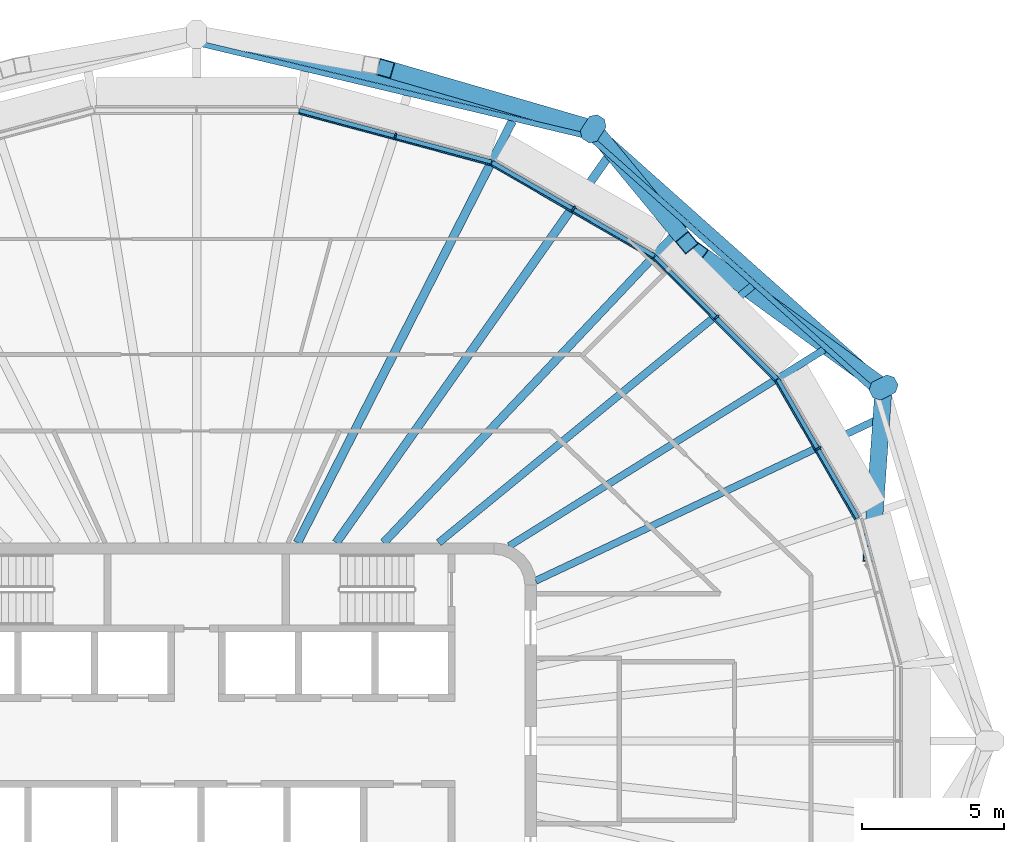
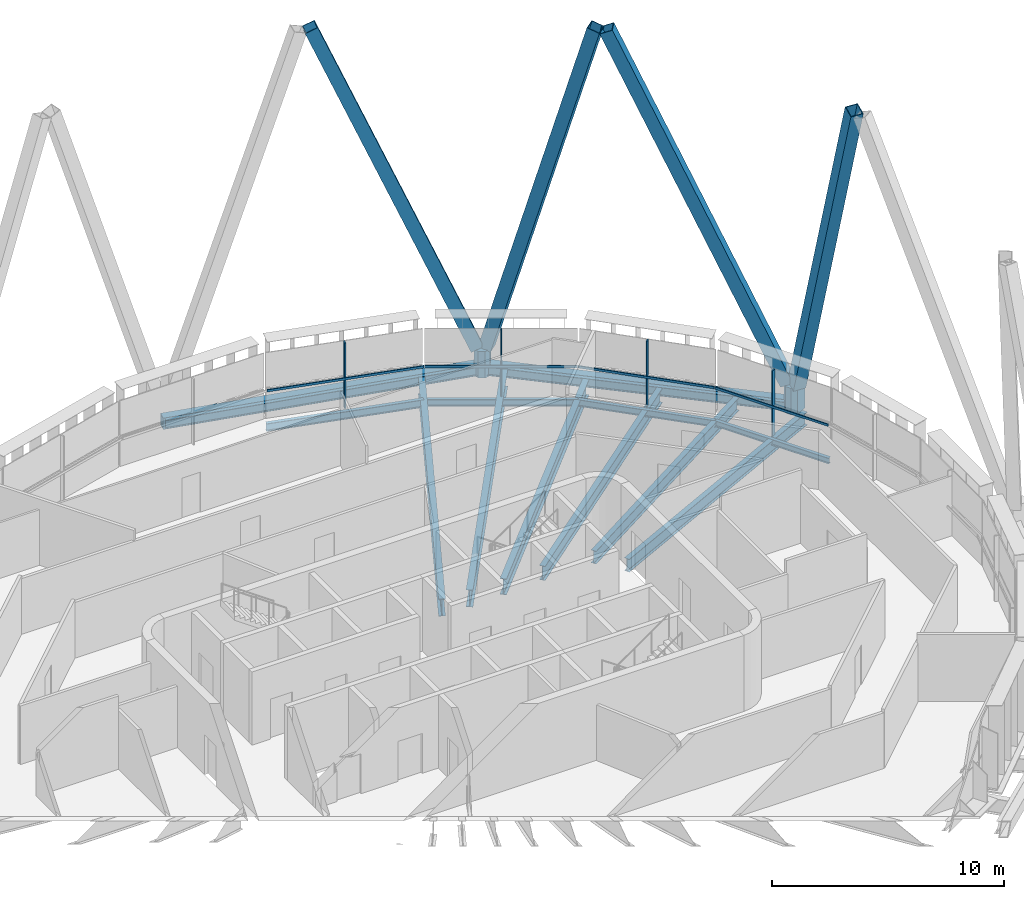
# One storey, part 6 of 18: 14 beams, 14 members, 4 elements without a shape of their own.
"""IFC4 building model written with IfcOpenShell, lengths in metres."""

from ifc_helpers import new_model, si_unit, direction, frame, origin, origin_2d, place, context, subcontext, project, spatial, polyline, rectangle, hollow_rectangle, i_section, outline, extrude, material, layer, layer_set, material_profile, profile_set, type_object, element, aggregate, save


model = new_model("IFC4")

# Units and contexts
model_context = context("Model", 3, precision=1e-05, world=origin(), true_north=direction((0.0, 1.0)))
body_context = subcontext(model_context, "Body", "Model", "MODEL_VIEW")
ifc_project = project(units=[si_unit("LENGTHUNIT", "METRE"), si_unit("AREAUNIT", "SQUARE_METRE"), si_unit("VOLUMEUNIT", "CUBIC_METRE"), si_unit("PLANEANGLEUNIT", "RADIAN"), si_unit("MASSUNIT", "GRAM", prefix="KILO")], contexts=[model_context])

# Site, building, storey
site_placement = place(None, origin())
site = spatial("IfcSite", under=ifc_project, at=site_placement, CompositionType="ELEMENT")
building_placement = place(site_placement, origin())
building = spatial("IfcBuilding", under=site, at=building_placement, Name="Sahrelin Media Tower", CompositionType="ELEMENT")
storey_placement = place(building_placement, frame((0.0, 0.0, 316.39990234375)))
storey = spatial("IfcBuildingStorey", under=building, at=storey_placement, Name="L70", CompositionType="ELEMENT", Elevation=316.39990234375)

# Members
ifc_material_1 = material(Name="Steel S460", Category="steel")
ifc_material_profile_1 = material_profile(ifc_material_1, hollow_rectangle(XDim=0.60009765625, YDim=0.60009765625, WallThickness=0.030029296875, at=origin_2d()), Name="Diagrid diagonal DG9")
ifc_profile_set_1 = profile_set([ifc_material_profile_1], Name="Steel S460")
member_type_1 = type_object("IfcMemberType", Name="Diagrid diagonal DG9", PredefinedType="BRACE", material=ifc_profile_set_1)
member_1_placement = place(storey_placement, frame((24.24755859375, 12.260986328125, 0.7001953125), z_axis=(-0.021293837719, -0.29969200765, 0.953798339811), x_axis=(0.997485295429, -0.07087372858, 0.0)))
element("IfcMember", 1, at=member_1_placement, inside=storey, type_object=member_type_1, Name="Diagrid diagonal D16-01", PredefinedType="BRACE", context=body_context, shape_type="SweptSolid", body=[
    extrude(hollow_rectangle(XDim=0.60009765625, YDim=0.60009765625, WallThickness=0.030029296875, at=origin_2d()), origin(), (0.0, 0.0, 1.0), 18.871826171875),
])
member_2_placement = place(storey_placement, frame((24.01708984375, 12.66015625, 0.7001953125), z_axis=(-0.322314038724, 0.234657855068, 0.917087428491), x_axis=(-0.588577891078, -0.808440514901, 0.0)))
element("IfcMember", 2, at=member_2_placement, inside=storey, type_object=member_type_1, Name="Diagrid diagonal D16-02", PredefinedType="BRACE", context=body_context, shape_type="SweptSolid", body=[
    extrude(hollow_rectangle(XDim=0.60009765625, YDim=0.60009765625, WallThickness=0.030029296875, at=origin_2d()), origin(), (0.0, 0.0, 1.0), 19.62744140625),
])
member_3_placement = place(storey_placement, frame((14.13232421875, 21.46728515625, 0.7001953125), z_axis=(0.170636757802, -0.207207376875, 0.963300679879), x_axis=(0.771938665879, 0.635697015977, 0.0)))
element("IfcMember", 3, at=member_3_placement, inside=storey, type_object=member_type_1, Name="Diagrid diagonal D16-03", PredefinedType="BRACE", context=body_context, shape_type="SweptSolid", body=[
    extrude(hollow_rectangle(XDim=0.60009765625, YDim=0.60009765625, WallThickness=0.030029296875, at=origin_2d()), origin(), (0.0, 0.0, 1.0), 18.685791015625),
])
member_4_placement = place(storey_placement, frame((13.7333984375, 21.697509765625, 0.7001953125), z_axis=(-0.363679356396, 0.10556003272, 0.925523854487), x_axis=(-0.278751022186, -0.960363403942, 0.0)))
element("IfcMember", 4, at=member_4_placement, inside=storey, type_object=member_type_1, Name="Diagrid diagonal D16-04", PredefinedType="BRACE", context=body_context, shape_type="SweptSolid", body=[
    extrude(hollow_rectangle(XDim=0.60009765625, YDim=0.60009765625, WallThickness=0.030029296875, at=origin_2d()), origin(), (0.0, 0.0, 1.0), 19.448486328125),
])
ifc_material_profile_2 = material_profile(ifc_material_1, outline(polyline([(0.300048828125, -0.35009765625), (0.5, -0.14990234375), (0.5, 0.14990234375), (0.300048828125, 0.35009765625), (-0.300048828125, 0.35009765625), (-0.5, 0.14990234375), (-0.5, -0.14990234375), (-0.300048828125, -0.35009765625), (0.300048828125, -0.35009765625)])), Name="Diagrid node block 1000")
ifc_profile_set_2 = profile_set([ifc_material_profile_2], Name="Steel S460")
member_type_2 = type_object("IfcMemberType", Name="Diagrid node block 1000", PredefinedType="USERDEFINED", material=ifc_profile_set_2)
for number, where, z_axis, x_axis, name in (
    (5, (24.26318359375, 12.481201171875, -0.699951171875), (0.0, 0.0, 1.0), (0.889244786604, 0.457431644618, 0.0), "Diagrid node N16-01"),
    (6, (14.00830078125, 21.617919921875, -0.699951171875), (0.0, 0.0, 1.0), (0.543810283352, 0.839208183778, 0.0), "Diagrid node N16-02"),
):
    element("IfcMember", number, at=place(storey_placement, frame(where, z_axis=z_axis, x_axis=x_axis)), inside=storey, type_object=member_type_2, Name=name, ObjectType="NODE", PredefinedType="USERDEFINED", context=body_context, shape_type="SweptSolid", body=[
        extrude(outline(polyline([(0.300048828125, -0.35009765625), (0.5, -0.14990234375), (0.5, 0.14990234375), (0.300048828125, 0.35009765625), (-0.300048828125, 0.35009765625), (-0.5, 0.14990234375), (-0.5, -0.14990234375), (-0.300048828125, -0.35009765625), (0.300048828125, -0.35009765625)])), origin(), (0.0, 0.0, 1.0), 1.400146484375),
    ])

# Beams
ifc_material_profile_3 = material_profile(ifc_material_1, hollow_rectangle(XDim=0.39990234375, YDim=0.60009765625, WallThickness=0.030029296875, at=origin_2d()), Name="Diagrid ring beam RB1")
ifc_profile_set_3 = profile_set([ifc_material_profile_3], Name="Steel S460")
beam_type_1 = type_object("IfcBeamType", Name="Diagrid ring beam RB1", PredefinedType="BEAM", material=ifc_profile_set_3)
beam_1_placement = place(storey_placement, frame((24.26318359375, 12.481201171875, -0.449951171875), z_axis=(-0.74663993806, 0.66522838401, 0.0), x_axis=(-0.66522838401, -0.74663993806, 0.0)))
element("IfcBeam", 7, at=beam_1_placement, inside=storey, type_object=beam_type_1, Name="Diagrid ring beam RB16-01", PredefinedType="BEAM", context=body_context, shape_type="SweptSolid", body=[
    extrude(hollow_rectangle(XDim=0.39990234375, YDim=0.60009765625, WallThickness=0.030029296875, at=origin_2d()), origin(), (0.0, 0.0, 1.0), 13.734619140625),
])
beam_2_placement = place(storey_placement, frame((14.00830078125, 21.617919921875, -0.449951171875), z_axis=(-0.972666348259, 0.232207181123, 0.0), x_axis=(-0.232207181123, -0.972666348259, 0.0)))
element("IfcBeam", 8, at=beam_2_placement, inside=storey, type_object=beam_type_1, Name="Diagrid ring beam RB16-02", PredefinedType="BEAM", context=body_context, shape_type="SweptSolid", body=[
    extrude(hollow_rectangle(XDim=0.39990234375, YDim=0.60009765625, WallThickness=0.030029296875, at=origin_2d()), origin(), (0.0, 0.0, 1.0), 14.40185546875),
])
ifc_material_2 = material(Name="Steel S355", Category="steel")
ifc_material_profile_4 = material_profile(ifc_material_2, i_section(OverallWidth=0.1650390625, OverallDepth=0.303466796875, WebThickness=0.006103515625, FlangeThickness=0.01025390625, FilletRadius=0.0087890625, at=origin_2d()), Name="UB 305x165x40")
ifc_profile_set_4 = profile_set([ifc_material_profile_4], Name="Steel S355")
beam_type_2 = type_object("IfcBeamType", Name="Edge beam EB2", PredefinedType="BEAM", material=ifc_profile_set_4)
beam_3_placement = place(storey_placement, frame((20.517333984375, 12.76220703125, -0.301513671875), z_axis=(0.500010103361, -0.866019570528, 0.0), x_axis=(0.866019570528, 0.500010103361, 0.0)))
element("IfcBeam", 9, at=beam_3_placement, inside=storey, type_object=beam_type_2, Name="Edge beam L70-23", PredefinedType="BEAM", context=body_context, shape_type="SweptSolid", body=[
    extrude(i_section(OverallWidth=0.1650390625, OverallDepth=0.303466796875, WebThickness=0.006103515625, FlangeThickness=0.01025390625, FilletRadius=0.0087890625, at=origin_2d()), origin(), (0.0, 0.0, 1.0), 5.6572265625),
])
ifc_material_profile_5 = material_profile(ifc_material_2, i_section(OverallWidth=0.17138671875, OverallDepth=0.35498046875, WebThickness=0.00732421875, FlangeThickness=0.011474609375, FilletRadius=0.01025390625, at=origin_2d()), Name="UB 356x171x51")
ifc_profile_set_5 = profile_set([ifc_material_profile_5], Name="Steel S355")
beam_type_3 = type_object("IfcBeamType", Name="Edge beam EB3", PredefinedType="BEAM", material=ifc_profile_set_5)
beam_4_placement = place(storey_placement, frame((10.4345703125, 20.425048828125, -0.327392578125), z_axis=(0.86602569981, -0.499999487269, 0.0), x_axis=(0.499999487269, 0.86602569981, 0.0)))
element("IfcBeam", 10, at=beam_4_placement, inside=storey, type_object=beam_type_3, Name="Edge beam L70-21", PredefinedType="BEAM", context=body_context, shape_type="SweptSolid", body=[
    extrude(i_section(OverallWidth=0.17138671875, OverallDepth=0.35498046875, WebThickness=0.00732421875, FlangeThickness=0.011474609375, FilletRadius=0.01025390625, at=origin_2d()), origin(), (0.0, 0.0, 1.0), 6.611328125),
])
beam_5_placement = place(storey_placement, frame((16.18310546875, 17.101806640625, -0.327392578125), z_axis=(0.707086785237, -0.707126776571, 0.0), x_axis=(0.707126776571, 0.707086785237, 0.0)))
element("IfcBeam", 11, at=beam_5_placement, inside=storey, type_object=beam_type_3, Name="Edge beam L70-22", PredefinedType="BEAM", context=body_context, shape_type="SweptSolid", body=[
    extrude(i_section(OverallWidth=0.17138671875, OverallDepth=0.35498046875, WebThickness=0.00732421875, FlangeThickness=0.011474609375, FilletRadius=0.01025390625, at=origin_2d()), origin(), (0.0, 0.0, 1.0), 6.104736328125),
])
ifc_material_profile_6 = material_profile(ifc_material_2, i_section(OverallWidth=0.177978515625, OverallDepth=0.406494140625, WebThickness=0.0078125, FlangeThickness=0.0126953125, FilletRadius=0.01025390625, at=origin_2d()), Name="UB 406x178x60")
ifc_profile_set_6 = profile_set([ifc_material_profile_6], Name="Steel S355")
beam_type_4 = type_object("IfcBeamType", Name="Edge beam EB4", PredefinedType="BEAM", material=ifc_profile_set_6)
beam_6_placement = place(storey_placement, frame((3.6220703125, 22.25439453125, -0.35302734375), z_axis=(0.965922766368, -0.258830464613, 0.0), x_axis=(0.258830464613, 0.965922766368, 0.0)))
element("IfcBeam", 12, at=beam_6_placement, inside=storey, type_object=beam_type_4, Name="Edge beam L70-20", PredefinedType="BEAM", context=body_context, shape_type="SweptSolid", body=[
    extrude(i_section(OverallWidth=0.177978515625, OverallDepth=0.406494140625, WebThickness=0.0078125, FlangeThickness=0.0126953125, FilletRadius=0.01025390625, at=origin_2d()), origin(), (0.0, 0.0, 1.0), 7.025390625),
])

# Curtain wall, member
ifc_material_3 = material(Name="Champagne anodised aluminium 6063-T6", Category="aluminium")
ifc_layer = layer(ifc_material_3, 0.14990234375)
ifc_layer_set = layer_set([ifc_layer], Name="Tower ribbon curtain wall")
curtain_wall_type = type_object("IfcCurtainWallType", Name="Tower ribbon curtain wall", PredefinedType="NOTDEFINED", material=ifc_layer_set)
curtain_wall_1_placement = place(storey_placement, frame((22.0615234375, 10.3876953125, 0.0), z_axis=(0.0, 0.0, 1.0), x_axis=(1.0, 0.0, 0.0)))
curtain_wall_1 = element("IfcCurtainWall", 13, at=curtain_wall_1_placement, inside=storey, type_object=curtain_wall_type, Name="L70:CW:L70-02", PredefinedType="NOTDEFINED")
ifc_material_profile_7 = material_profile(ifc_material_3, rectangle(XDim=0.06005859375, YDim=0.199951171875, at=origin_2d()), Name="Mullion 60x200")
ifc_profile_set_7 = profile_set([ifc_material_profile_7], Name="Champagne anodised aluminium 6063-T6")
member_type_3 = type_object("IfcMemberType", Name="Mullion 60x200 CW1C", PredefinedType="MULLION", material=ifc_profile_set_7)
member_5_placement = place(storey_placement, frame((21.95751953125, 10.327392578125, 0.0), z_axis=(0.0, 0.0, 1.0), x_axis=(-0.500001511499, 0.866024531118, 0.0)))
member_5 = element("IfcMember", 14, at=member_5_placement, type_object=member_type_3, Name="L70:CWM:L70-02", PredefinedType="MULLION", context=body_context, shape_type="SweptSolid", body=[
    extrude(rectangle(XDim=0.06005859375, YDim=0.199951171875, at=origin_2d()), origin(), (0.0, 0.0, 1.0), 3.44873046875),
])

curtain_wall_2_placement = place(storey_placement, frame((18.447509765625, 15.04931640625, 0.0), z_axis=(0.0, 0.0, 1.0), x_axis=(1.0, 0.0, 0.0)))
curtain_wall_2 = element("IfcCurtainWall", 15, at=curtain_wall_2_placement, inside=storey, type_object=curtain_wall_type, Name="L70:CW:L70-03", PredefinedType="NOTDEFINED")
member_6_placement = place(storey_placement, frame((18.362548828125, 14.964599609375, 0.0), z_axis=(0.0, 0.0, 1.0), x_axis=(-0.707106781187, 0.707106781187, 0.0)))
member_6 = element("IfcMember", 16, at=member_6_placement, type_object=member_type_3, Name="L70:CWM:L70-03", PredefinedType="MULLION", context=body_context, shape_type="SweptSolid", body=[
    extrude(rectangle(XDim=0.06005859375, YDim=0.199951171875, at=origin_2d()), origin(), (0.0, 0.0, 1.0), 3.44873046875),
])

curtain_wall_3_placement = place(storey_placement, frame((13.372314453125, 18.902099609375, 0.0), z_axis=(0.0, 0.0, 1.0), x_axis=(1.0, 0.0, 0.0)))
curtain_wall_3 = element("IfcCurtainWall", 17, at=curtain_wall_3_placement, inside=storey, type_object=curtain_wall_type, Name="L70:CW:L70-04", PredefinedType="NOTDEFINED")
member_7_placement = place(storey_placement, frame((13.312255859375, 18.798095703125, 0.0), z_axis=(0.0, 0.0, 1.0), x_axis=(-0.86602365845, 0.500003022996, 0.0)))
member_7 = element("IfcMember", 18, at=member_7_placement, type_object=member_type_3, Name="L70:CWM:L70-04", PredefinedType="MULLION", context=body_context, shape_type="SweptSolid", body=[
    extrude(rectangle(XDim=0.06005859375, YDim=0.199951171875, at=origin_2d()), origin(), (0.0, 0.0, 1.0), 3.44873046875),
])

curtain_wall_4_placement = place(storey_placement, frame((7.0537109375, 21.489990234375, 0.0), z_axis=(0.0, 0.0, 1.0), x_axis=(1.0, 0.0, 0.0)))
curtain_wall_4 = element("IfcCurtainWall", 19, at=curtain_wall_4_placement, inside=storey, type_object=curtain_wall_type, Name="L70:CW:L70-05", PredefinedType="NOTDEFINED")
member_8_placement = place(storey_placement, frame((7.022705078125, 21.374267578125, 0.0), z_axis=(0.0, 0.0, 1.0), x_axis=(-0.965926278012, 0.258817359244, 0.0)))
member_8 = element("IfcMember", 20, at=member_8_placement, type_object=member_type_3, Name="L70:CWM:L70-05", PredefinedType="MULLION", context=body_context, shape_type="SweptSolid", body=[
    extrude(rectangle(XDim=0.06005859375, YDim=0.199951171875, at=origin_2d()), origin(), (0.0, 0.0, 1.0), 3.44873046875),
])

# Beams
ifc_material_profile_8 = material_profile(ifc_material_2, i_section(OverallWidth=0.291748046875, OverallDepth=0.8349609375, WebThickness=0.013916015625, FlangeThickness=0.018798828125, FilletRadius=0.017822265625, at=origin_2d()), Name="UB 838x292x176")
ifc_profile_set_8 = profile_set([ifc_material_profile_8], Name="Steel S355")
beam_type_5 = type_object("IfcBeamType", Name="Radial primary beam PB10", PredefinedType="BEAM", material=ifc_profile_set_8)
beam_7_placement = place(storey_placement, frame((6.607177734375, 7.0, -0.5673828125), z_axis=(0.686402151296, 0.727222171483, 0.0), x_axis=(-0.727222171483, 0.686402151296, 0.0)))
element("IfcBeam", 21, at=beam_7_placement, inside=storey, type_object=beam_type_5, Name="Radial beam L70-04", PredefinedType="BEAM", context=body_context, shape_type="SweptSolid", body=[
    extrude(i_section(OverallWidth=0.291748046875, OverallDepth=0.8349609375, WebThickness=0.013916015625, FlangeThickness=0.018798828125, FilletRadius=0.017822265625, at=origin_2d()), origin(), (0.0, 0.0, 1.0), 15.44873046875),
])
ifc_material_profile_9 = material_profile(ifc_material_2, i_section(OverallWidth=0.30322265625, OverallDepth=0.903076171875, WebThickness=0.01513671875, FlangeThickness=0.020263671875, FilletRadius=0.01904296875, at=origin_2d()), Name="UB 914x305x201")
ifc_profile_set_9 = profile_set([ifc_material_profile_9], Name="Steel S355")
beam_type_6 = type_object("IfcBeamType", Name="Radial primary beam PB11", PredefinedType="BEAM", material=ifc_profile_set_9)
beam_8_placement = place(storey_placement, frame((3.56591796875, 7.0, -0.601318359375), z_axis=(0.453908495023, 0.891048302925, 0.0), x_axis=(-0.891048302925, 0.453908495023, 0.0)))
element("IfcBeam", 22, at=beam_8_placement, inside=storey, type_object=beam_type_6, Name="Radial beam L70-05", PredefinedType="BEAM", context=body_context, shape_type="SweptSolid", body=[
    extrude(i_section(OverallWidth=0.30322265625, OverallDepth=0.903076171875, WebThickness=0.01513671875, FlangeThickness=0.020263671875, FilletRadius=0.01904296875, at=origin_2d()), origin(), (0.0, 0.0, 1.0), 16.714111328125),
])
ifc_material_profile_10 = material_profile(ifc_material_2, i_section(OverallWidth=0.2529296875, OverallDepth=0.677978515625, WebThickness=0.01171875, FlangeThickness=0.01611328125, FilletRadius=0.01513671875, at=origin_2d()), Name="UB 686x254x125")
ifc_profile_set_10 = profile_set([ifc_material_profile_10], Name="Steel S355")
beam_type_7 = type_object("IfcBeamType", Name="Radial primary beam PB8", PredefinedType="BEAM", material=ifc_profile_set_10)
beam_9_placement = place(storey_placement, frame((11.040283203125, 6.8857421875, -0.489013671875), z_axis=(0.848498069324, 0.529198475389, 0.0), x_axis=(-0.529198475389, 0.848498069324, 0.0)))
element("IfcBeam", 23, at=beam_9_placement, inside=storey, type_object=beam_type_7, Name="Radial beam L70-03", PredefinedType="BEAM", context=body_context, shape_type="SweptSolid", body=[
    extrude(i_section(OverallWidth=0.2529296875, OverallDepth=0.677978515625, WebThickness=0.01171875, FlangeThickness=0.01611328125, FilletRadius=0.01513671875, at=origin_2d()), origin(), (0.0, 0.0, 1.0), 13.108642578125),
])
ifc_material_profile_11 = material_profile(ifc_material_2, i_section(OverallWidth=0.30322265625, OverallDepth=0.903076171875, WebThickness=0.01513671875, FlangeThickness=0.020263671875, FilletRadius=0.01904296875, at=origin_2d()), Name="UB 914x305x201")
ifc_profile_set_11 = profile_set([ifc_material_profile_11], Name="Steel S355")
beam_type_8 = type_object("IfcBeamType", Name="Radial secondary beam SB11", PredefinedType="BEAM", material=ifc_profile_set_11)
beam_10_placement = place(storey_placement, frame((4.9326171875, 7.0, -0.601318359375), z_axis=(0.57600715637, 0.817444649998, 0.0), x_axis=(-0.817444649998, 0.57600715637, 0.0)))
element("IfcBeam", 24, at=beam_10_placement, inside=storey, type_object=beam_type_8, Name="Secondary beam L70-04", PredefinedType="BEAM", context=body_context, shape_type="SweptSolid", body=[
    extrude(i_section(OverallWidth=0.30322265625, OverallDepth=0.903076171875, WebThickness=0.01513671875, FlangeThickness=0.020263671875, FilletRadius=0.01904296875, at=origin_2d()), origin(), (0.0, 0.0, 1.0), 16.66455078125),
])
ifc_material_profile_12 = material_profile(ifc_material_2, i_section(OverallWidth=0.2529296875, OverallDepth=0.677978515625, WebThickness=0.01171875, FlangeThickness=0.01611328125, FilletRadius=0.01513671875, at=origin_2d()), Name="UB 686x254x125")
ifc_profile_set_12 = profile_set([ifc_material_profile_12], Name="Steel S355")
beam_type_9 = type_object("IfcBeamType", Name="Radial secondary beam SB8", PredefinedType="BEAM", material=ifc_profile_set_12)
beam_11_placement = place(storey_placement, frame((11.979248046875, 5.656982421875, -0.489013671875), z_axis=(0.904247481471, 0.42700877304, 0.0), x_axis=(-0.42700877304, 0.904247481471, 0.0)))
element("IfcBeam", 25, at=beam_11_placement, inside=storey, type_object=beam_type_9, Name="Secondary beam L70-02", PredefinedType="BEAM", context=body_context, shape_type="SweptSolid", body=[
    extrude(i_section(OverallWidth=0.2529296875, OverallDepth=0.677978515625, WebThickness=0.01171875, FlangeThickness=0.01611328125, FilletRadius=0.01513671875, at=origin_2d()), origin(), (0.0, 0.0, 1.0), 13.48291015625),
])
ifc_material_profile_13 = material_profile(ifc_material_2, i_section(OverallWidth=0.26513671875, OverallDepth=0.75390625, WebThickness=0.0126953125, FlangeThickness=0.017578125, FilletRadius=0.0166015625, at=origin_2d()), Name="UB 762x267x147")
ifc_profile_set_13 = profile_set([ifc_material_profile_13], Name="Steel S355")
beam_type_10 = type_object("IfcBeamType", Name="Radial secondary beam SB9", PredefinedType="BEAM", material=ifc_profile_set_13)
beam_12_placement = place(storey_placement, frame((8.551513671875, 7.0, -0.52685546875), z_axis=(0.773813005588, 0.633414108133, 0.0), x_axis=(-0.633414108133, 0.773813005588, 0.0)))
element("IfcBeam", 26, at=beam_12_placement, inside=storey, type_object=beam_type_10, Name="Secondary beam L70-03", PredefinedType="BEAM", context=body_context, shape_type="SweptSolid", body=[
    extrude(i_section(OverallWidth=0.26513671875, OverallDepth=0.75390625, WebThickness=0.0126953125, FlangeThickness=0.017578125, FilletRadius=0.0166015625, at=origin_2d()), origin(), (0.0, 0.0, 1.0), 14.3251953125),
])
ifc_material_profile_14 = material_profile(ifc_material_2, i_section(OverallWidth=0.1904296875, OverallDepth=0.45703125, WebThickness=0.009033203125, FlangeThickness=0.014404296875, FilletRadius=0.01025390625, at=origin_2d()), Name="UB 457x191x74")
ifc_profile_set_14 = profile_set([ifc_material_profile_14], Name="Steel S355")
beam_type_11 = type_object("IfcBeamType", Name="Tie chord TC5", PredefinedType="BEAM", material=ifc_profile_set_14)
beam_13_placement = place(storey_placement, frame((0.0, 24.653564453125, -0.37841796875), z_axis=(0.972665821988, -0.232209385546, 0.0), x_axis=(0.232209385546, 0.972665821988, 0.0)))
element("IfcBeam", 27, at=beam_13_placement, inside=storey, type_object=beam_type_11, Name="Tie chord L70-10", PredefinedType="BEAM", context=body_context, shape_type="SweptSolid", body=[
    extrude(i_section(OverallWidth=0.1904296875, OverallDepth=0.45703125, WebThickness=0.009033203125, FlangeThickness=0.014404296875, FilletRadius=0.01025390625, at=origin_2d()), origin(), (0.0, 0.0, 1.0), 14.254638671875),
])
beam_14_placement = place(storey_placement, frame((13.864990234375, 21.343505859375, -0.37841796875), z_axis=(0.746643763591, -0.665224090281, 0.0), x_axis=(0.665224090281, 0.746643763591, 0.0)))
element("IfcBeam", 28, at=beam_14_placement, inside=storey, type_object=beam_type_11, Name="Tie chord L70-11", PredefinedType="BEAM", context=body_context, shape_type="SweptSolid", body=[
    extrude(i_section(OverallWidth=0.1904296875, OverallDepth=0.45703125, WebThickness=0.009033203125, FlangeThickness=0.014404296875, FilletRadius=0.01025390625, at=origin_2d()), origin(), (0.0, 0.0, 1.0), 13.574462890625),
])

# Member
ifc_material_profile_15 = material_profile(ifc_material_3, rectangle(XDim=0.050048828125, YDim=0.1201171875, at=origin_2d()), Name="Transom 50x120")
ifc_profile_set_15 = profile_set([ifc_material_profile_15], Name="Champagne anodised aluminium 6063-T6")
member_type_4 = type_object("IfcMemberType", Name="Transom 50x120 CW1C", PredefinedType="USERDEFINED", material=ifc_profile_set_15)
member_9_placement = place(storey_placement, frame((23.255615234375, 7.8291015625, 1.60009765625), z_axis=(-0.499999198584, 0.866025866482, 0.0), x_axis=(-0.866025866482, -0.499999198584, 0.0)))
member_9 = element("IfcMember", 29, at=member_9_placement, type_object=member_type_4, Name="L70:CWT:L70-02", ObjectType="TRANSOM", PredefinedType="USERDEFINED", context=body_context, shape_type="SweptSolid", body=[
    extrude(rectangle(XDim=0.050048828125, YDim=0.1201171875, at=origin_2d()), origin(), (0.0, 0.0, 1.0), 5.62548828125),
])

aggregate(curtain_wall_1, [member_5, member_9])

member_10_placement = place(storey_placement, frame((20.42138671875, 12.72900390625, 1.60009765625), z_axis=(-0.707106781187, 0.707106781187, 0.0), x_axis=(-0.707106781187, -0.707106781187, 0.0)))
member_10 = element("IfcMember", 30, at=member_10_placement, type_object=member_type_4, Name="L70:CWT:L70-03", ObjectType="TRANSOM", PredefinedType="USERDEFINED", context=body_context, shape_type="SweptSolid", body=[
    extrude(rectangle(XDim=0.050048828125, YDim=0.1201171875, at=origin_2d()), origin(), (0.0, 0.0, 1.0), 6.0732421875),
])

aggregate(curtain_wall_2, [member_6, member_10])

member_11_placement = place(storey_placement, frame((16.09912109375, 17.044921875, 1.60009765625), z_axis=(-0.866024321458, 0.50000187464, 0.0), x_axis=(-0.50000187464, -0.866024321458, 0.0)))
member_11 = element("IfcMember", 31, at=member_11_placement, type_object=member_type_4, Name="L70:CWT:L70-04", ObjectType="TRANSOM", PredefinedType="USERDEFINED", context=body_context, shape_type="SweptSolid", body=[
    extrude(rectangle(XDim=0.050048828125, YDim=0.1201171875, at=origin_2d()), origin(), (0.0, 0.0, 1.0), 6.580078125),
])

aggregate(curtain_wall_3, [member_7, member_11])

member_12_placement = place(storey_placement, frame((10.3681640625, 20.348388671875, 1.60009765625), z_axis=(-0.965929509854, 0.258805297461, 0.0), x_axis=(-0.258805297461, -0.965929509854, 0.0)))
member_12 = element("IfcMember", 32, at=member_12_placement, type_object=member_type_4, Name="L70:CWT:L70-05", ObjectType="TRANSOM", PredefinedType="USERDEFINED", context=body_context, shape_type="SweptSolid", body=[
    extrude(rectangle(XDim=0.050048828125, YDim=0.1201171875, at=origin_2d()), origin(), (0.0, 0.0, 1.0), 6.993896484375),
])

aggregate(curtain_wall_4, [member_8, member_12])

save(model, "model.ifc")
